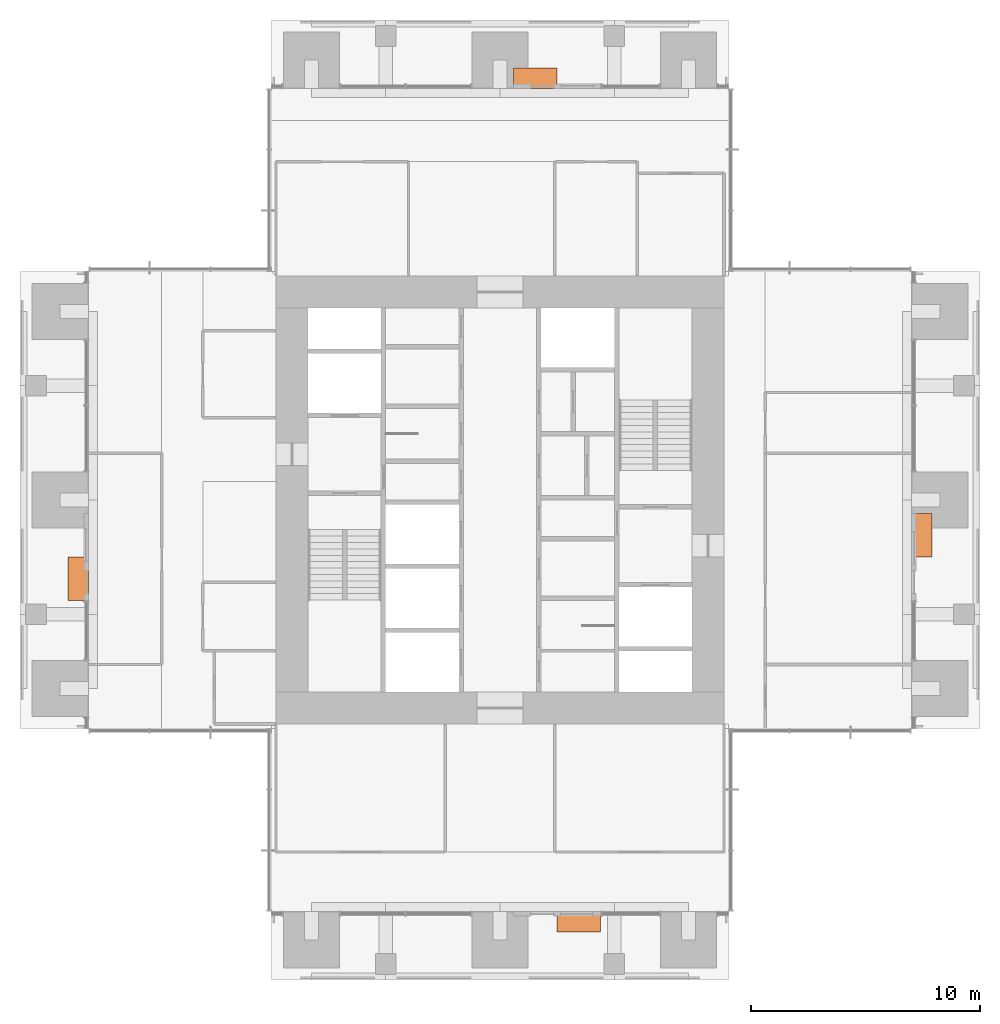
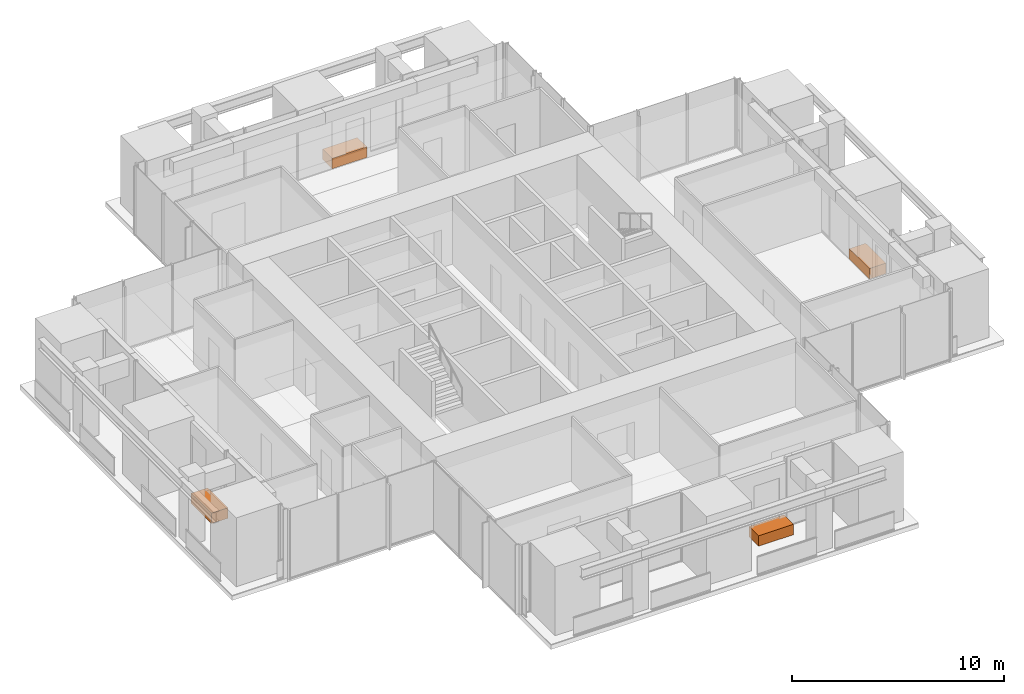
# One storey, part 17 of 17: 4 proxies.
"""IFC4 building model written with IfcOpenShell, lengths in metres."""

from ifc_helpers import new_model, si_unit, direction, frame, origin, origin_2d, place, context, subcontext, project, spatial, rectangle, extrude, element, save


model = new_model("IFC4")

# Units and contexts
model_context = context("Model", 3, precision=1e-05, world=origin(), true_north=direction((0.0, 1.0)))
body_context = subcontext(model_context, "Body", "Model", "MODEL_VIEW")
ifc_project = project(units=[si_unit("LENGTHUNIT", "METRE"), si_unit("AREAUNIT", "SQUARE_METRE"), si_unit("VOLUMEUNIT", "CUBIC_METRE"), si_unit("PLANEANGLEUNIT", "RADIAN"), si_unit("MASSUNIT", "GRAM", prefix="KILO")], contexts=[model_context])

# Site, building, storey
site_placement = place(None, origin())
site = spatial("IfcSite", under=ifc_project, at=site_placement, CompositionType="ELEMENT")
building_placement = place(site_placement, origin())
building = spatial("IfcBuilding", under=site, at=building_placement, Name="Svetlomir Tower", CompositionType="ELEMENT")
storey_placement = place(building_placement, frame((0.0, 0.0, 210.5)))
storey = spatial("IfcBuildingStorey", under=building, at=storey_placement, Name="L50", CompositionType="ELEMENT", Elevation=210.5)

# Proxies
proxy_1_placement = place(storey_placement, frame((24.449951171875, 2.550048828125, 0.0400390625), z_axis=(0.0, 0.0, 1.0), x_axis=(1.0, 0.0, 0.0)))
element("IfcBuildingElementProxy", 1, at=proxy_1_placement, inside=storey, Name="Tree planter S L50", ObjectType="PLANTER", PredefinedType="USERDEFINED", context=body_context, shape_type="SweptSolid", body=[
    extrude(rectangle(XDim=1.89990234375, YDim=0.89990234375, at=origin_2d()), origin(), (0.0, 0.0, 1.0), 0.60009765625),
])
proxy_2_placement = place(storey_placement, frame((39.449951171875, 19.449951171875, 0.0400390625), z_axis=(0.0, 0.0, 1.0), x_axis=(1.0, 0.0, 0.0)))
element("IfcBuildingElementProxy", 2, at=proxy_2_placement, inside=storey, Name="Tree planter E L50", ObjectType="PLANTER", PredefinedType="USERDEFINED", context=body_context, shape_type="SweptSolid", body=[
    extrude(rectangle(XDim=0.89990234375, YDim=1.89990234375, at=origin_2d()), origin(), (0.0, 0.0, 1.0), 0.60009765625),
])
proxy_3_placement = place(storey_placement, frame((22.550048828125, 39.449951171875, 0.0400390625), z_axis=(0.0, 0.0, 1.0), x_axis=(1.0, 0.0, 0.0)))
element("IfcBuildingElementProxy", 3, at=proxy_3_placement, inside=storey, Name="Tree planter N L50", ObjectType="PLANTER", PredefinedType="USERDEFINED", context=body_context, shape_type="SweptSolid", body=[
    extrude(rectangle(XDim=1.89990234375, YDim=0.89990234375, at=origin_2d()), origin(), (0.0, 0.0, 1.0), 0.60009765625),
])
proxy_4_placement = place(storey_placement, frame((2.550048828125, 17.550048828125, 0.0400390625), z_axis=(0.0, 0.0, 1.0), x_axis=(1.0, 0.0, 0.0)))
element("IfcBuildingElementProxy", 4, at=proxy_4_placement, inside=storey, Name="Tree planter W L50", ObjectType="PLANTER", PredefinedType="USERDEFINED", context=body_context, shape_type="SweptSolid", body=[
    extrude(rectangle(XDim=0.89990234375, YDim=1.89990234375, at=origin_2d()), origin(), (0.0, 0.0, 1.0), 0.60009765625),
])

save(model, "model.ifc")
